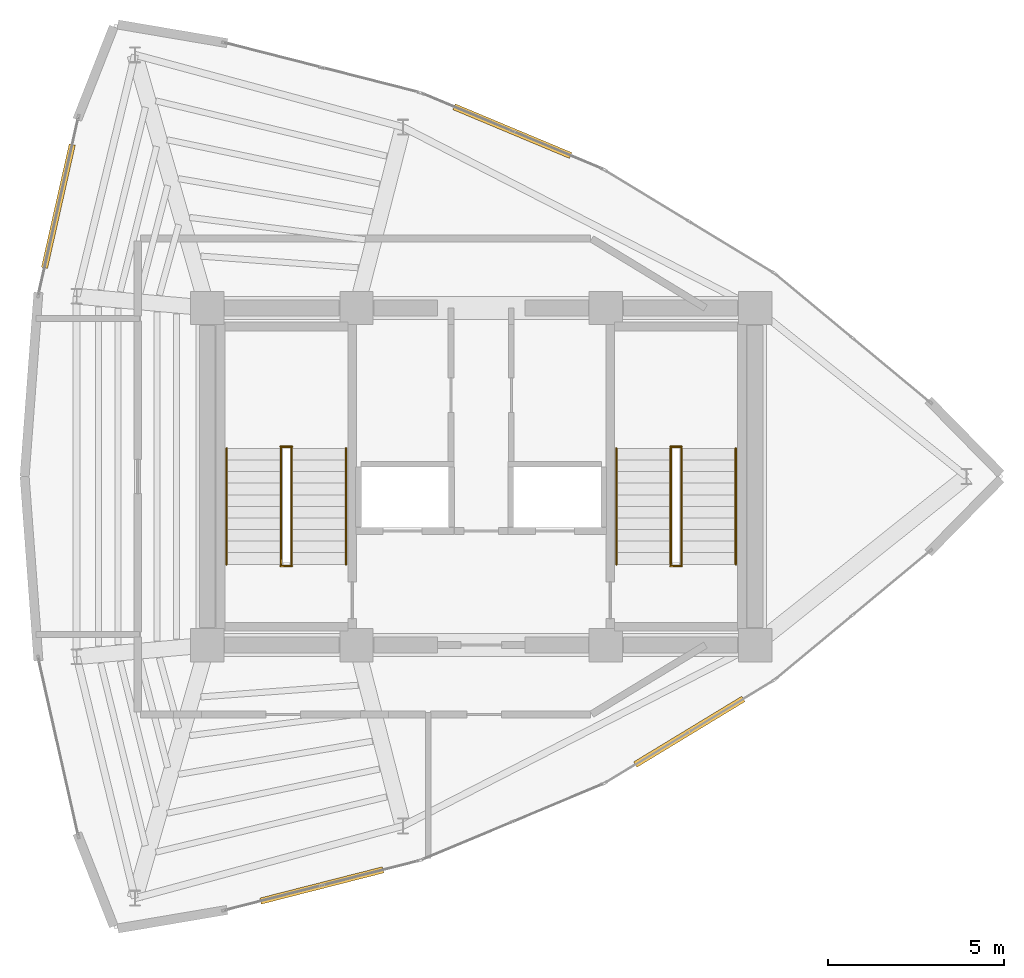
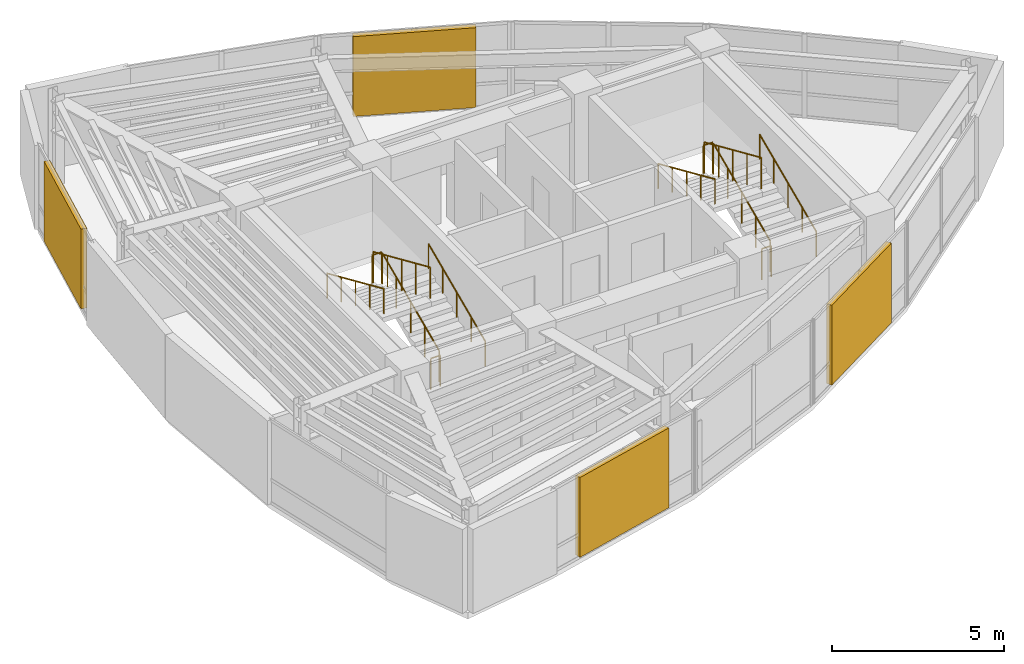
# One storey, part 14 of 14: 12 railings, 4 shading devices.
"""IFC4 building model written with IfcOpenShell, lengths in metres."""

from ifc_helpers import new_model, si_unit, direction, frame, origin, origin_2d, place, context, subcontext, project, spatial, rectangle, circle, extrude, material, layer, layer_set, type_object, element, save


model = new_model("IFC4")

# Units and contexts
model_context = context("Model", 3, precision=1e-05, world=origin(), true_north=direction((0.0, 1.0)))
body_context = subcontext(model_context, "Body", "Model", "MODEL_VIEW")
ifc_project = project(units=[si_unit("LENGTHUNIT", "METRE"), si_unit("AREAUNIT", "SQUARE_METRE"), si_unit("VOLUMEUNIT", "CUBIC_METRE"), si_unit("PLANEANGLEUNIT", "RADIAN"), si_unit("MASSUNIT", "GRAM", prefix="KILO")], contexts=[model_context])

# Site, building, storey
site_placement = place(None, origin())
site = spatial("IfcSite", under=ifc_project, at=site_placement, CompositionType="ELEMENT")
building_placement = place(site_placement, origin())
building = spatial("IfcBuilding", under=site, at=building_placement, Name="Menara Vayukalpa", CompositionType="ELEMENT")
storey_placement = place(building_placement, frame((0.0, 0.0, 312.02001953125)))
storey = spatial("IfcBuildingStorey", under=building, at=storey_placement, Name="L80", CompositionType="ELEMENT", Elevation=312.02001953125)

# Railings
ifc_material_1 = material(Name="Powder-Coated Galvanised Steel Guardrail", Category="steel")
railing_type_1 = type_object("IfcRailingType", Name="RLG-STG110", PredefinedType="GUARDRAIL", material=ifc_material_1)
railing_1_placement = place(storey_placement, frame((20.199951171875, 19.5, 0.1455078125)))
element("IfcRailing", 1, at=railing_1_placement, inside=storey, type_object=railing_type_1, Name="L80 ST-1 stair guard 1", PredefinedType="GUARDRAIL", context=body_context, shape_type="SweptSolid", body=[
    extrude(circle(Radius=0.02392578125, at=origin_2d()), frame((0.0, 0.0, 1.09619140625), z_axis=(0.0, 0.915052310208, 0.403335182675), x_axis=(-1.0, 0.0, 0.0)), (0.0, 0.0, 1.0), 3.6064453125),
    extrude(circle(Radius=0.02099609375, at=origin_2d()), origin(), (0.0, 0.0, 1.0), 1.072021484375),
    extrude(circle(Radius=0.02099609375, at=origin_2d()), frame((0.0, 0.824951171875, 0.36376953125)), (0.0, 0.0, 1.0), 1.072021484375),
    extrude(circle(Radius=0.02099609375, at=origin_2d()), frame((0.0, 1.64990234375, 0.727294921875)), (0.0, 0.0, 1.0), 1.072021484375),
    extrude(circle(Radius=0.02099609375, at=origin_2d()), frame((0.0, 2.47509765625, 1.0908203125)), (0.0, 0.0, 1.0), 1.072021484375),
    extrude(circle(Radius=0.02099609375, at=origin_2d()), frame((0.0, 3.300048828125, 1.45458984375)), (0.0, 0.0, 1.0), 1.072021484375),
])
railing_2_placement = place(storey_placement, frame((20.2099609375, 22.85009765625, 1.60009765625)))
element("IfcRailing", 2, at=railing_2_placement, inside=storey, type_object=railing_type_1, Name="L80 ST-1 stair guard 2", PredefinedType="GUARDRAIL", context=body_context, shape_type="SweptSolid", body=[
    extrude(circle(Radius=0.02392578125, at=origin_2d()), frame((0.0, 0.0, 1.09619140625), z_axis=(-1.0, 0.0, 0.0), x_axis=(0.0, -1.0, 0.0)), (0.0, 0.0, 1.0), 0.320068359375),
    extrude(circle(Radius=0.02099609375, at=origin_2d()), origin(), (0.0, 0.0, 1.0), 1.072021484375),
    extrude(circle(Radius=0.02099609375, at=origin_2d()), frame((-0.320068359375, 0.0, 0.0)), (0.0, 0.0, 1.0), 1.072021484375),
])
railing_3_placement = place(storey_placement, frame((19.89990234375, 22.800048828125, 1.745361328125)))
element("IfcRailing", 3, at=railing_3_placement, inside=storey, type_object=railing_type_1, Name="L80 ST-1 stair guard 3", PredefinedType="GUARDRAIL", context=body_context, shape_type="SweptSolid", body=[
    extrude(circle(Radius=0.02392578125, at=origin_2d()), frame((0.0, 0.0, 1.09619140625), z_axis=(0.0, -0.915052310208, 0.403335182675), x_axis=(1.0, 0.0, 0.0)), (0.0, 0.0, 1.0), 3.6064453125),
    extrude(circle(Radius=0.02099609375, at=origin_2d()), origin(), (0.0, 0.0, 1.0), 1.072021484375),
    extrude(circle(Radius=0.02099609375, at=origin_2d()), frame((0.0, -0.824951171875, 0.36376953125)), (0.0, 0.0, 1.0), 1.072021484375),
    extrude(circle(Radius=0.02099609375, at=origin_2d()), frame((0.0, -1.64990234375, 0.727294921875)), (0.0, 0.0, 1.0), 1.072021484375),
    extrude(circle(Radius=0.02099609375, at=origin_2d()), frame((0.0, -2.47509765625, 1.0908203125)), (0.0, 0.0, 1.0), 1.072021484375),
    extrude(circle(Radius=0.02099609375, at=origin_2d()), frame((0.0, -3.300048828125, 1.45458984375)), (0.0, 0.0, 1.0), 1.072021484375),
])
railing_4_placement = place(storey_placement, frame((20.2099609375, 19.449951171875, 0.0)))
element("IfcRailing", 4, at=railing_4_placement, inside=storey, type_object=railing_type_1, Name="L80 ST-1 stair guard 4", PredefinedType="GUARDRAIL", context=body_context, shape_type="SweptSolid", body=[
    extrude(circle(Radius=0.02392578125, at=origin_2d()), frame((0.0, 0.0, 1.09619140625), z_axis=(-1.0, 0.0, 0.0), x_axis=(0.0, -1.0, 0.0)), (0.0, 0.0, 1.0), 0.320068359375),
    extrude(circle(Radius=0.02099609375, at=origin_2d()), origin(), (0.0, 0.0, 1.0), 1.072021484375),
    extrude(circle(Radius=0.02099609375, at=origin_2d()), frame((-0.320068359375, 0.0, 0.0)), (0.0, 0.0, 1.0), 1.072021484375),
])
railing_5_placement = place(storey_placement, frame((31.300048828125, 19.5, 0.1455078125)))
element("IfcRailing", 5, at=railing_5_placement, inside=storey, type_object=railing_type_1, Name="L80 ST-2 stair guard 1", PredefinedType="GUARDRAIL", context=body_context, shape_type="SweptSolid", body=[
    extrude(circle(Radius=0.02392578125, at=origin_2d()), frame((0.0, 0.0, 1.09619140625), z_axis=(0.0, 0.915052310208, 0.403335182675), x_axis=(-1.0, 0.0, 0.0)), (0.0, 0.0, 1.0), 3.6064453125),
    extrude(circle(Radius=0.02099609375, at=origin_2d()), origin(), (0.0, 0.0, 1.0), 1.072021484375),
    extrude(circle(Radius=0.02099609375, at=origin_2d()), frame((0.0, 0.824951171875, 0.36376953125)), (0.0, 0.0, 1.0), 1.072021484375),
    extrude(circle(Radius=0.02099609375, at=origin_2d()), frame((0.0, 1.64990234375, 0.727294921875)), (0.0, 0.0, 1.0), 1.072021484375),
    extrude(circle(Radius=0.02099609375, at=origin_2d()), frame((0.0, 2.47509765625, 1.0908203125)), (0.0, 0.0, 1.0), 1.072021484375),
    extrude(circle(Radius=0.02099609375, at=origin_2d()), frame((0.0, 3.300048828125, 1.45458984375)), (0.0, 0.0, 1.0), 1.072021484375),
])
railing_6_placement = place(storey_placement, frame((31.31005859375, 22.85009765625, 1.60009765625)))
element("IfcRailing", 6, at=railing_6_placement, inside=storey, type_object=railing_type_1, Name="L80 ST-2 stair guard 2", PredefinedType="GUARDRAIL", context=body_context, shape_type="SweptSolid", body=[
    extrude(circle(Radius=0.02392578125, at=origin_2d()), frame((0.0, 0.0, 1.09619140625), z_axis=(-1.0, 0.0, 0.0), x_axis=(0.0, -1.0, 0.0)), (0.0, 0.0, 1.0), 0.320068359375),
    extrude(circle(Radius=0.02099609375, at=origin_2d()), origin(), (0.0, 0.0, 1.0), 1.072021484375),
    extrude(circle(Radius=0.02099609375, at=origin_2d()), frame((-0.320068359375, 0.0, 0.0)), (0.0, 0.0, 1.0), 1.072021484375),
])
railing_7_placement = place(storey_placement, frame((31.0, 22.800048828125, 1.745361328125)))
element("IfcRailing", 7, at=railing_7_placement, inside=storey, type_object=railing_type_1, Name="L80 ST-2 stair guard 3", PredefinedType="GUARDRAIL", context=body_context, shape_type="SweptSolid", body=[
    extrude(circle(Radius=0.02392578125, at=origin_2d()), frame((0.0, 0.0, 1.09619140625), z_axis=(0.0, -0.915052310208, 0.403335182675), x_axis=(1.0, 0.0, 0.0)), (0.0, 0.0, 1.0), 3.6064453125),
    extrude(circle(Radius=0.02099609375, at=origin_2d()), origin(), (0.0, 0.0, 1.0), 1.072021484375),
    extrude(circle(Radius=0.02099609375, at=origin_2d()), frame((0.0, -0.824951171875, 0.36376953125)), (0.0, 0.0, 1.0), 1.072021484375),
    extrude(circle(Radius=0.02099609375, at=origin_2d()), frame((0.0, -1.64990234375, 0.727294921875)), (0.0, 0.0, 1.0), 1.072021484375),
    extrude(circle(Radius=0.02099609375, at=origin_2d()), frame((0.0, -2.47509765625, 1.0908203125)), (0.0, 0.0, 1.0), 1.072021484375),
    extrude(circle(Radius=0.02099609375, at=origin_2d()), frame((0.0, -3.300048828125, 1.45458984375)), (0.0, 0.0, 1.0), 1.072021484375),
])
railing_8_placement = place(storey_placement, frame((31.31005859375, 19.449951171875, 0.0)))
element("IfcRailing", 8, at=railing_8_placement, inside=storey, type_object=railing_type_1, Name="L80 ST-2 stair guard 4", PredefinedType="GUARDRAIL", context=body_context, shape_type="SweptSolid", body=[
    extrude(circle(Radius=0.02392578125, at=origin_2d()), frame((0.0, 0.0, 1.09619140625), z_axis=(-1.0, 0.0, 0.0), x_axis=(0.0, -1.0, 0.0)), (0.0, 0.0, 1.0), 0.320068359375),
    extrude(circle(Radius=0.02099609375, at=origin_2d()), origin(), (0.0, 0.0, 1.0), 1.072021484375),
    extrude(circle(Radius=0.02099609375, at=origin_2d()), frame((-0.320068359375, 0.0, 0.0)), (0.0, 0.0, 1.0), 1.072021484375),
])
ifc_material_2 = material(Name="Stainless Steel 316 Tubular Handrail", Category="steel")
railing_type_2 = type_object("IfcRailingType", Name="RLG-STH090", PredefinedType="HANDRAIL", material=ifc_material_2)
railing_9_placement = place(storey_placement, frame((21.75, 19.5, 0.1455078125)))
element("IfcRailing", 9, at=railing_9_placement, inside=storey, type_object=railing_type_2, Name="L80 ST-1 stair handrail 1", PredefinedType="HANDRAIL", context=body_context, shape_type="SweptSolid", body=[
    extrude(circle(Radius=0.02392578125, at=origin_2d()), frame((0.0, 0.0, 0.8759765625), z_axis=(0.0, 0.915052310208, 0.403335182675), x_axis=(-1.0, 0.0, 0.0)), (0.0, 0.0, 1.0), 3.6064453125),
    extrude(circle(Radius=0.02099609375, at=origin_2d()), origin(), (0.0, 0.0, 1.0), 0.851806640625),
    extrude(circle(Radius=0.02099609375, at=origin_2d()), frame((0.0, 0.824951171875, 0.36376953125)), (0.0, 0.0, 1.0), 0.851806640625),
    extrude(circle(Radius=0.02099609375, at=origin_2d()), frame((0.0, 1.64990234375, 0.727294921875)), (0.0, 0.0, 1.0), 0.851806640625),
    extrude(circle(Radius=0.02099609375, at=origin_2d()), frame((0.0, 2.47509765625, 1.0908203125)), (0.0, 0.0, 1.0), 0.851806640625),
    extrude(circle(Radius=0.02099609375, at=origin_2d()), frame((0.0, 3.300048828125, 1.45458984375)), (0.0, 0.0, 1.0), 0.851806640625),
])
railing_10_placement = place(storey_placement, frame((18.35009765625, 22.800048828125, 1.745361328125)))
element("IfcRailing", 10, at=railing_10_placement, inside=storey, type_object=railing_type_2, Name="L80 ST-1 stair handrail 2", PredefinedType="HANDRAIL", context=body_context, shape_type="SweptSolid", body=[
    extrude(circle(Radius=0.02392578125, at=origin_2d()), frame((0.0, 0.0, 0.8759765625), z_axis=(0.0, -0.915052310208, 0.403335182675), x_axis=(1.0, 0.0, 0.0)), (0.0, 0.0, 1.0), 3.6064453125),
    extrude(circle(Radius=0.02099609375, at=origin_2d()), origin(), (0.0, 0.0, 1.0), 0.851806640625),
    extrude(circle(Radius=0.02099609375, at=origin_2d()), frame((0.0, -0.824951171875, 0.36376953125)), (0.0, 0.0, 1.0), 0.851806640625),
    extrude(circle(Radius=0.02099609375, at=origin_2d()), frame((0.0, -1.64990234375, 0.727294921875)), (0.0, 0.0, 1.0), 0.851806640625),
    extrude(circle(Radius=0.02099609375, at=origin_2d()), frame((0.0, -2.47509765625, 1.0908203125)), (0.0, 0.0, 1.0), 0.851806640625),
    extrude(circle(Radius=0.02099609375, at=origin_2d()), frame((0.0, -3.300048828125, 1.45458984375)), (0.0, 0.0, 1.0), 0.851806640625),
])
railing_11_placement = place(storey_placement, frame((32.85009765625, 19.5, 0.1455078125)))
element("IfcRailing", 11, at=railing_11_placement, inside=storey, type_object=railing_type_2, Name="L80 ST-2 stair handrail 1", PredefinedType="HANDRAIL", context=body_context, shape_type="SweptSolid", body=[
    extrude(circle(Radius=0.02392578125, at=origin_2d()), frame((0.0, 0.0, 0.8759765625), z_axis=(0.0, 0.915052310208, 0.403335182675), x_axis=(-1.0, 0.0, 0.0)), (0.0, 0.0, 1.0), 3.6064453125),
    extrude(circle(Radius=0.02099609375, at=origin_2d()), origin(), (0.0, 0.0, 1.0), 0.851806640625),
    extrude(circle(Radius=0.02099609375, at=origin_2d()), frame((0.0, 0.824951171875, 0.36376953125)), (0.0, 0.0, 1.0), 0.851806640625),
    extrude(circle(Radius=0.02099609375, at=origin_2d()), frame((0.0, 1.64990234375, 0.727294921875)), (0.0, 0.0, 1.0), 0.851806640625),
    extrude(circle(Radius=0.02099609375, at=origin_2d()), frame((0.0, 2.47509765625, 1.0908203125)), (0.0, 0.0, 1.0), 0.851806640625),
    extrude(circle(Radius=0.02099609375, at=origin_2d()), frame((0.0, 3.300048828125, 1.45458984375)), (0.0, 0.0, 1.0), 0.851806640625),
])
railing_12_placement = place(storey_placement, frame((29.449951171875, 22.800048828125, 1.745361328125)))
element("IfcRailing", 12, at=railing_12_placement, inside=storey, type_object=railing_type_2, Name="L80 ST-2 stair handrail 2", PredefinedType="HANDRAIL", context=body_context, shape_type="SweptSolid", body=[
    extrude(circle(Radius=0.02392578125, at=origin_2d()), frame((0.0, 0.0, 0.8759765625), z_axis=(0.0, -0.915052310208, 0.403335182675), x_axis=(1.0, 0.0, 0.0)), (0.0, 0.0, 1.0), 3.6064453125),
    extrude(circle(Radius=0.02099609375, at=origin_2d()), origin(), (0.0, 0.0, 1.0), 0.851806640625),
    extrude(circle(Radius=0.02099609375, at=origin_2d()), frame((0.0, -0.824951171875, 0.36376953125)), (0.0, 0.0, 1.0), 0.851806640625),
    extrude(circle(Radius=0.02099609375, at=origin_2d()), frame((0.0, -1.64990234375, 0.727294921875)), (0.0, 0.0, 1.0), 0.851806640625),
    extrude(circle(Radius=0.02099609375, at=origin_2d()), frame((0.0, -2.47509765625, 1.0908203125)), (0.0, 0.0, 1.0), 0.851806640625),
    extrude(circle(Radius=0.02099609375, at=origin_2d()), frame((0.0, -3.300048828125, 1.45458984375)), (0.0, 0.0, 1.0), 0.851806640625),
])

# Shading devices
ifc_material_3 = material(Name="Anodised Terracotta Aluminium Acoustic Louvre", Category="masonry")
ifc_layer = layer(ifc_material_3, 0.280029296875)
ifc_layer_set = layer_set([ifc_layer], Name="Anodised Terracotta Aluminium Acoustic Louvre")
shading_device_type = type_object("IfcShadingDeviceType", Name="SHD-LV1", PredefinedType="JALOUSIE", material=ifc_layer_set)
for number, where, z_axis, x_axis, name in (
    (13, (26.48583984375, 31.835205078125, 0.074951171875), (0.0, 0.0, 1.0), (-0.922538089456, 0.385906042324, 0.0), "L80 Crown Plant Louvre Screen 05"),
    (14, (13.558837890625, 29.69921875, 0.074951171875), (0.0, 0.0, 1.0), (-0.219522692765, -0.975607394068, 0.0), "L80 Crown Plant Louvre Screen 09"),
    (15, (21.0615234375, 10.354248046875, 0.074951171875), (0.0, 0.0, 1.0), (0.968985547553, 0.247117398484, 0.0), "L80 Crown Plant Louvre Screen 15"),
    (16, (31.525146484375, 14.73095703125, 0.074951171875), (0.0, 0.0, 1.0), (0.85466730962, 0.519176068272, 0.0), "L80 Crown Plant Louvre Screen 17"),
):
    element("IfcShadingDevice", number, at=place(storey_placement, frame(where, z_axis=z_axis, x_axis=x_axis)), inside=storey, type_object=shading_device_type, Name=name, PredefinedType="JALOUSIE", context=body_context, shape_type="SweptSolid", body=[
        extrude(rectangle(XDim=3.60009765625, YDim=0.179931640625, at=origin_2d()), origin(), (0.0, 0.0, 1.0), 2.830078125),
    ])

save(model, "model.ifc")
